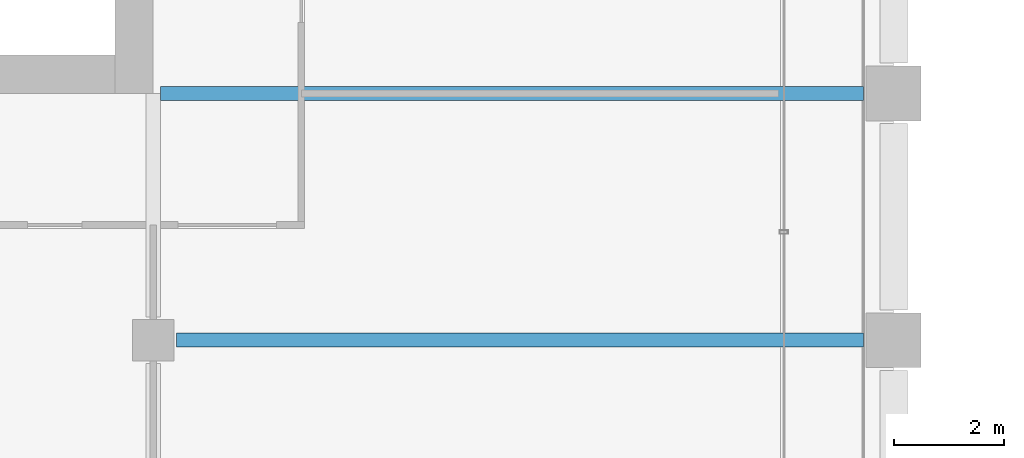
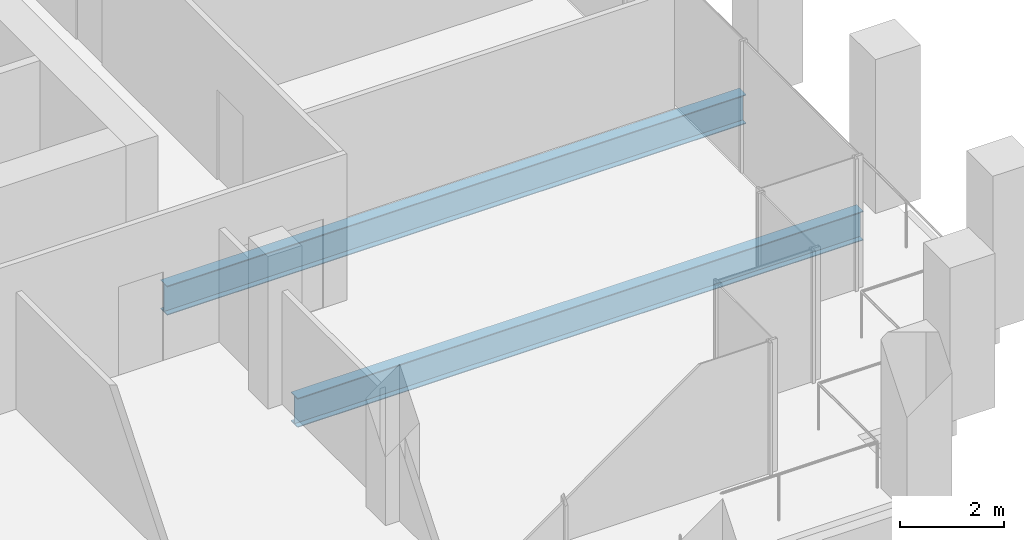
# One storey, part 14 of 52: 2 beams.
"""IFC4 building model written with IfcOpenShell, lengths in metres."""

from ifc_helpers import new_model, si_unit, direction, frame, origin, origin_2d, place, context, subcontext, project, spatial, i_section, extrude, material, material_profile, profile_set, type_object, element, save


model = new_model("IFC4")

# Units and contexts
model_context = context("Model", 3, precision=1e-05, world=origin(), true_north=direction((0.0, 1.0)))
body_context = subcontext(model_context, "Body", "Model", "MODEL_VIEW")
ifc_project = project(units=[si_unit("LENGTHUNIT", "METRE"), si_unit("AREAUNIT", "SQUARE_METRE"), si_unit("VOLUMEUNIT", "CUBIC_METRE"), si_unit("PLANEANGLEUNIT", "RADIAN"), si_unit("MASSUNIT", "GRAM", prefix="KILO")], contexts=[model_context])

# Site, building, storey
site_placement = place(None, origin())
site = spatial("IfcSite", under=ifc_project, at=site_placement, CompositionType="ELEMENT")
building_placement = place(site_placement, origin())
building = spatial("IfcBuilding", under=site, at=building_placement, Name="Altepetl Exchange Towers", CompositionType="ELEMENT")
storey_placement = place(building_placement, frame((0.0, 0.0, 92.0)))
storey = spatial("IfcBuildingStorey", under=building, at=storey_placement, Name="L22", CompositionType="ELEMENT", Elevation=92.0)

# Beams
ifc_material = material(Name="Steel S355", Category="steel")
ifc_material_profile = material_profile(ifc_material, i_section(OverallWidth=0.25390625, OverallDepth=0.68408203125, WebThickness=0.012451171875, FlangeThickness=0.018798828125, at=origin_2d()), Name="W27X94")
ifc_profile_set = profile_set([ifc_material_profile], Name="Steel S355")
beam_type = type_object("IfcBeamType", Name="Floor beam W27X94", PredefinedType="BEAM", material=ifc_profile_set)
beam_1_placement = place(storey_placement, frame((58.925048828125, 36.0, -0.491943359375), z_axis=(1.0, 0.0, 0.0), x_axis=(0.0, 1.0, 0.0)))
element("IfcBeam", 1, at=beam_1_placement, inside=storey, type_object=beam_type, Name="bm:A:L22:007", PredefinedType="BEAM", context=body_context, shape_type="SweptSolid", body=[
    extrude(i_section(OverallWidth=0.25390625, OverallDepth=0.68408203125, WebThickness=0.012451171875, FlangeThickness=0.018798828125, at=origin_2d()), origin(), (0.0, 0.0, 1.0), 12.52490234375),
])
beam_2_placement = place(storey_placement, frame((58.634033203125, 40.5, -0.491943359375), z_axis=(1.0, 0.0, 0.0), x_axis=(0.0, 1.0, 0.0)))
element("IfcBeam", 2, at=beam_2_placement, inside=storey, type_object=beam_type, Name="bm:A:L22:008", PredefinedType="BEAM", context=body_context, shape_type="SweptSolid", body=[
    extrude(i_section(OverallWidth=0.25390625, OverallDepth=0.68408203125, WebThickness=0.012451171875, FlangeThickness=0.018798828125, at=origin_2d()), origin(), (0.0, 0.0, 1.0), 12.81591796875),
])

save(model, "model.ifc")
